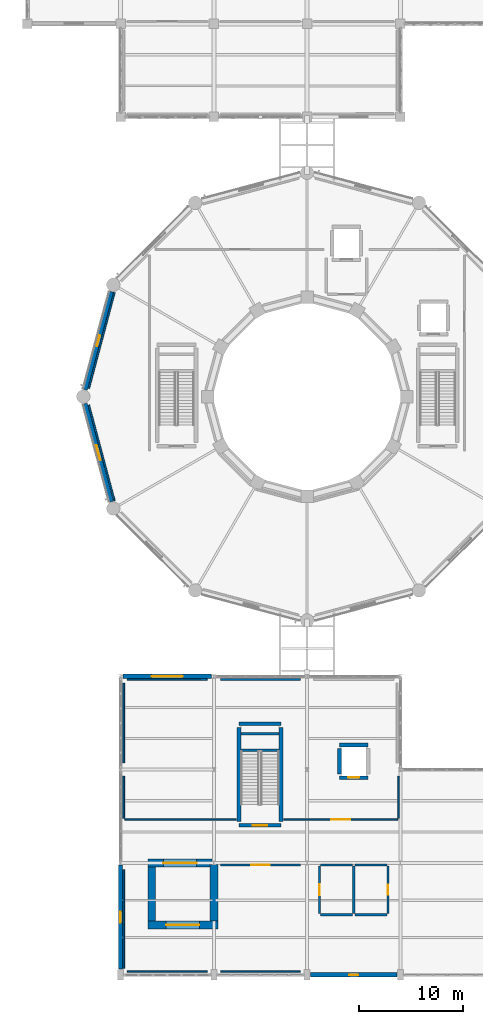
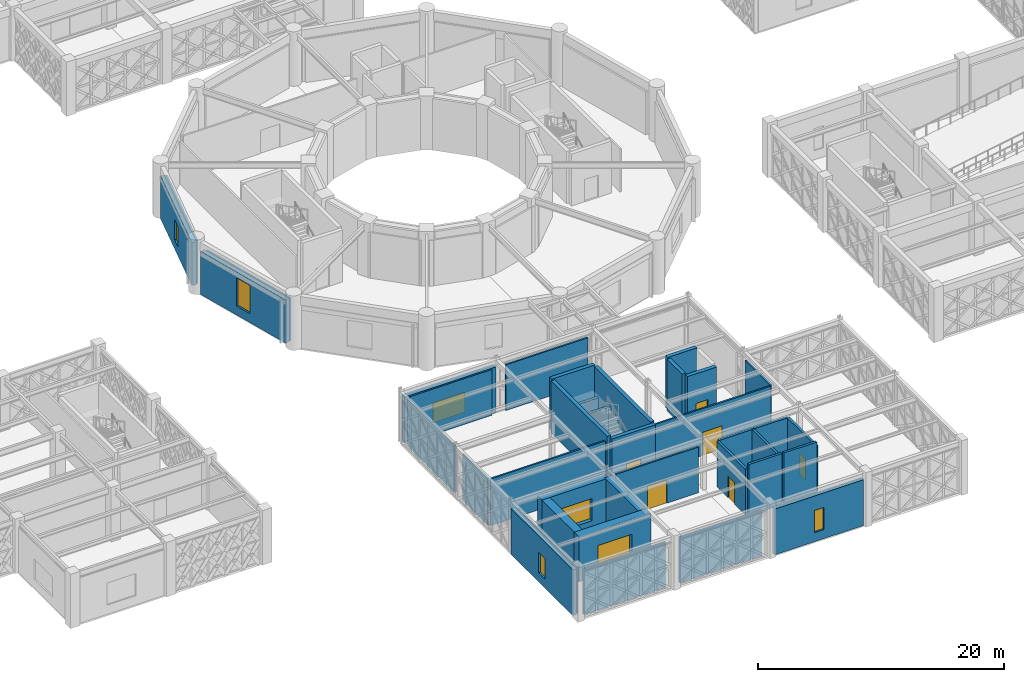
# One storey, part 140 of 166: 38 walls, 7 windows, 6 doors, 13 openings.
"""IFC4 building model written with IfcOpenShell, lengths in metres."""

from ifc_helpers import new_model, si_unit, direction, frame, frame_2d, origin, place, context, subcontext, project, spatial, rectangle, extrude, material, layer, layer_set, type_object, element, fill, save


model = new_model("IFC4")

# Units and contexts
model_context = context("Model", 3, precision=1e-05, world=origin(), true_north=direction((0.0, 1.0)))
body_context = subcontext(model_context, "Body", "Model", "MODEL_VIEW")
ifc_project = project(units=[si_unit("LENGTHUNIT", "METRE"), si_unit("AREAUNIT", "SQUARE_METRE"), si_unit("VOLUMEUNIT", "CUBIC_METRE"), si_unit("PLANEANGLEUNIT", "RADIAN"), si_unit("MASSUNIT", "GRAM", prefix="KILO")], contexts=[model_context])

# Site, building, storey
site_placement = place(None, origin())
site = spatial("IfcSite", under=ifc_project, at=site_placement, CompositionType="ELEMENT")
building_placement = place(site_placement, origin())
building = spatial("IfcBuilding", under=site, at=building_placement, Name="Haizhuo Lancet Aquarium", CompositionType="ELEMENT")
storey_placement = place(building_placement, frame((0.0, 0.0, 5.39990234375)))
storey = spatial("IfcBuildingStorey", under=building, at=storey_placement, Name="L01", CompositionType="ELEMENT", Elevation=5.39990234375)

# Wall, opening, window
ifc_material_1 = material(Name="Shandong Grey Limestone Ashlar", Category="masonry")
ifc_layer_1 = layer(ifc_material_1, 0.360107421875)
ifc_layer_set_1 = layer_set([ifc_layer_1], Name="Shandong Grey Limestone Ashlar")
wall_type_1 = type_object("IfcWallType", Name="EWL-ASH-360", PredefinedType="SOLIDWALL", material=ifc_layer_set_1)
wall_1_placement = place(storey_placement, frame((-18.0, -55.2548828125, 0.0), z_axis=(0.0, 0.0, 1.0), x_axis=(0.0, 1.0, 0.0)))
wall_1 = element("IfcWall", 1, at=wall_1_placement, inside=storey, type_object=wall_type_1, Name="L01 V4 limestone facade wall 83", PredefinedType="SOLIDWALL", context=body_context, shape_type="SweptSolid", body=[
    extrude(rectangle(XDim=10.034912109375, YDim=0.360107421875, at=frame_2d((5.017578125, 0.0))), origin(), (0.0, 0.0, 1.0), 4.537109375),
])
opening_1_placement = place(wall_1_placement, frame((4.492919921875, 0.0, 0.89990234375)))
opening_1 = element("IfcOpeningElement", 2, at=opening_1_placement, cuts=wall_1, Name="Opening WN-12", PredefinedType="OPENING", context=body_context, shape_type="SweptSolid", body=[
    extrude(rectangle(XDim=1.050048828125, YDim=2.0, at=frame_2d((0.52490234375, 1.0))), frame((0.0, 0.18994140625, 0.0), z_axis=(0.0, -1.0, 0.0), x_axis=(1.0, 0.0, 0.0)), (0.0, 0.0, 1.0), 0.380107),
])
ifc_material_2 = material(Name="Laminated Low-E Glass", Category="glass")
window_type_1 = type_object("IfcWindowType", Name="WIN-LAN-1050x2000", PartitioningType="SINGLE_PANEL", PredefinedType="WINDOW", material=ifc_material_2)
window_1_placement = place(opening_1_placement, origin())
window_1 = element("IfcWindow", 3, at=window_1_placement, inside=storey, type_object=window_type_1, Name="L01 V4 lancet window 64", OverallHeight=2.0, OverallWidth=1.050048828125, PartitioningType="SINGLE_PANEL", PredefinedType="WINDOW", context=body_context, shape_type="SweptSolid", body=[
    extrude(rectangle(XDim=1.050048828125, YDim=2.0, at=frame_2d((0.52490234375, 1.0))), frame((0.0, 0.030029296875, 0.0), z_axis=(0.0, -1.0, 0.0), x_axis=(1.0, 0.0, 0.0)), (0.0, 0.0, 1.0), 0.06005859375),
])
fill(opening_1, window_1)

ifc_layer_2 = layer(ifc_material_1, 0.39990234375)
ifc_layer_set_2 = layer_set([ifc_layer_2], Name="Shandong Grey Limestone Ashlar")
wall_type_2 = type_object("IfcWallType", Name="EWL-ASH-400", PredefinedType="SOLIDWALL", material=ifc_layer_set_2)
wall_2_placement = place(storey_placement, frame((-21.419921875, 0.6708984375, 0.0), z_axis=(0.0, 0.0, 1.0), x_axis=(0.258787599316, 0.965934251614, 0.0)))
wall_2 = element("IfcWall", 4, at=wall_2_placement, inside=storey, type_object=wall_type_2, Name="L01 V1 limestone drum wall bay 6", PredefinedType="SOLIDWALL", context=body_context, shape_type="SweptSolid", body=[
    extrude(rectangle(XDim=9.79150390625, YDim=0.39990234375, at=frame_2d((4.895751953125, 0.0))), origin(), (0.0, 0.0, 1.0), 4.275146484375),
])
opening_2_placement = place(wall_2_placement, frame((4.37109375, 0.0, 0.89990234375)))
opening_2 = element("IfcOpeningElement", 5, at=opening_2_placement, cuts=wall_2, Name="Opening WN-12", PredefinedType="OPENING", context=body_context, shape_type="SweptSolid", body=[
    extrude(rectangle(XDim=1.050048828125, YDim=2.0, at=frame_2d((0.52490234375, 1.0))), frame((0.0, 0.2099609375, 0.0), z_axis=(0.0, -1.0, 0.0), x_axis=(1.0, 0.0, 0.0)), (0.0, 0.0, 1.0), 0.419902),
])
window_2_placement = place(opening_2_placement, origin())
window_2 = element("IfcWindow", 6, at=window_2_placement, inside=storey, type_object=window_type_1, Name="L01 Gothic lancet window 14", OverallHeight=2.0, OverallWidth=1.050048828125, PartitioningType="SINGLE_PANEL", PredefinedType="WINDOW", context=body_context, shape_type="SweptSolid", body=[
    extrude(rectangle(XDim=1.050048828125, YDim=2.0, at=frame_2d((0.52490234375, 1.0))), frame((0.0, 0.030029296875, 0.0), z_axis=(0.0, -1.0, 0.0), x_axis=(1.0, 0.0, 0.0)), (0.0, 0.0, 1.0), 0.06005859375),
])
fill(opening_2, window_2)

wall_3_placement = place(storey_placement, frame((-18.885986328125, -10.12890625, 0.0), z_axis=(0.0, 0.0, 1.0), x_axis=(-0.258787599316, 0.965934251614, 0.0)))
wall_3 = element("IfcWall", 7, at=wall_3_placement, inside=storey, type_object=wall_type_2, Name="L01 V1 limestone drum wall bay 7", PredefinedType="SOLIDWALL", context=body_context, shape_type="SweptSolid", body=[
    extrude(rectangle(XDim=9.79150390625, YDim=0.39990234375, at=frame_2d((4.895751953125, 0.0))), origin(), (0.0, 0.0, 1.0), 4.275146484375),
])
opening_3_placement = place(wall_3_placement, frame((4.14599609375, 0.0, 0.89990234375)))
opening_3 = element("IfcOpeningElement", 8, at=opening_3_placement, cuts=wall_3, Name="Opening WN-03", PredefinedType="OPENING", context=body_context, shape_type="SweptSolid", body=[
    extrude(rectangle(XDim=1.5, YDim=2.800048828125, at=frame_2d((0.75, 1.39990234375))), frame((0.0, 0.2099609375, 0.0), z_axis=(0.0, -1.0, 0.0), x_axis=(1.0, 0.0, 0.0)), (0.0, 0.0, 1.0), 0.419902),
])
window_type_2 = type_object("IfcWindowType", Name="WIN-LAN-1500x2800", PartitioningType="SINGLE_PANEL", PredefinedType="WINDOW", material=ifc_material_2)
window_3_placement = place(opening_3_placement, origin())
window_3 = element("IfcWindow", 9, at=window_3_placement, inside=storey, type_object=window_type_2, Name="L01 Gothic lancet window 15", OverallHeight=2.800048828125, OverallWidth=1.5, PartitioningType="SINGLE_PANEL", PredefinedType="WINDOW", context=body_context, shape_type="SweptSolid", body=[
    extrude(rectangle(XDim=1.5, YDim=2.800048828125, at=frame_2d((0.75, 1.39990234375))), frame((0.0, 0.030029296875, 0.0), z_axis=(0.0, -1.0, 0.0), x_axis=(1.0, 0.0, 0.0)), (0.0, 0.0, 1.0), 0.06005859375),
])
fill(opening_3, window_3)

wall_4_placement = place(storey_placement, frame((8.655029296875, -55.800048828125, 0.0), z_axis=(0.0, 0.0, 1.0), x_axis=(-1.0, 0.0, 0.0)))
wall_4 = element("IfcWall", 10, at=wall_4_placement, inside=storey, type_object=wall_type_2, Name="L01 V4 limestone facade wall 82", PredefinedType="SOLIDWALL", context=body_context, shape_type="SweptSolid", body=[
    extrude(rectangle(XDim=8.31005859375, YDim=0.39990234375, at=frame_2d((4.155029296875, 0.0))), origin(), (0.0, 0.0, 1.0), 4.537109375),
])
opening_4_placement = place(wall_4_placement, frame((3.705078125, 0.0, 0.89990234375)))
opening_4 = element("IfcOpeningElement", 11, at=opening_4_placement, cuts=wall_4, Name="Opening WN-11", PredefinedType="OPENING", context=body_context, shape_type="SweptSolid", body=[
    extrude(rectangle(XDim=0.89990234375, YDim=2.199951171875, at=frame_2d((0.449951171875, 1.10009765625))), frame((0.0, 0.2099609375, 0.0), z_axis=(0.0, -1.0, 0.0), x_axis=(1.0, 0.0, 0.0)), (0.0, 0.0, 1.0), 0.419902),
])
window_type_3 = type_object("IfcWindowType", Name="WIN-LAN-900x2200", PartitioningType="SINGLE_PANEL", PredefinedType="WINDOW", material=ifc_material_2)
window_4_placement = place(opening_4_placement, origin())
window_4 = element("IfcWindow", 12, at=window_4_placement, inside=storey, type_object=window_type_3, Name="L01 V4 lancet window 63", OverallHeight=2.199951171875, OverallWidth=0.89990234375, PartitioningType="SINGLE_PANEL", PredefinedType="WINDOW", context=body_context, shape_type="SweptSolid", body=[
    extrude(rectangle(XDim=0.89990234375, YDim=2.199951171875, at=frame_2d((0.449951171875, 1.10009765625))), frame((0.0, 0.030029296875, 0.0), z_axis=(0.0, -1.0, 0.0), x_axis=(1.0, 0.0, 0.0)), (0.0, 0.0, 1.0), 0.06005859375),
])
fill(opening_4, window_4)

ifc_layer_3 = layer(ifc_material_1, 0.449951171875)
ifc_layer_set_3 = layer_set([ifc_layer_3], Name="Shandong Grey Limestone Ashlar")
wall_type_3 = type_object("IfcWallType", Name="EWL-ASH-450", PredefinedType="SOLIDWALL", material=ifc_layer_set_3)
wall_5_placement = place(storey_placement, frame((-17.780029296875, -27.0, 0.0), z_axis=(0.0, 0.0, 1.0), x_axis=(1.0, 0.0, 0.0)))
wall_5 = element("IfcWall", 13, at=wall_5_placement, inside=storey, type_object=wall_type_3, Name="L01 V4 limestone facade wall 81", PredefinedType="SOLIDWALL", context=body_context, shape_type="SweptSolid", body=[
    extrude(rectangle(XDim=8.56005859375, YDim=0.449951171875, at=frame_2d((4.280029296875, 0.0))), origin(), (0.0, 0.0, 1.0), 4.537109375),
])
opening_5_placement = place(wall_5_placement, frame((2.780029296875, 0.0, 0.89990234375)))
opening_5 = element("IfcOpeningElement", 14, at=opening_5_placement, cuts=wall_5, Name="Opening WN-10", PredefinedType="OPENING", context=body_context, shape_type="SweptSolid", body=[
    extrude(rectangle(XDim=3.0, YDim=2.0, at=frame_2d((1.5, 1.0))), frame((0.0, 0.23486328125, 0.0), z_axis=(0.0, -1.0, 0.0), x_axis=(1.0, 0.0, 0.0)), (0.0, 0.0, 1.0), 0.469951),
])
window_type_4 = type_object("IfcWindowType", Name="WIN-LAN-3000x2000", PartitioningType="SINGLE_PANEL", PredefinedType="WINDOW", material=ifc_material_2)
window_5_placement = place(opening_5_placement, origin())
window_5 = element("IfcWindow", 15, at=window_5_placement, inside=storey, type_object=window_type_4, Name="L01 V4 lancet window 62", OverallHeight=2.0, OverallWidth=3.0, PartitioningType="SINGLE_PANEL", PredefinedType="WINDOW", context=body_context, shape_type="SweptSolid", body=[
    extrude(rectangle(XDim=3.0, YDim=2.0, at=frame_2d((1.5, 1.0))), frame((0.0, 0.030029296875, 0.0), z_axis=(0.0, -1.0, 0.0), x_axis=(1.0, 0.0, 0.0)), (0.0, 0.0, 1.0), 0.06005859375),
])
fill(opening_5, window_5)

# Wall, opening, door
ifc_material_3 = material(Name="Concrete C40/50", Category="concrete")
ifc_layer_4 = layer(ifc_material_3, 0.219970703125)
ifc_layer_set_4 = layer_set([ifc_layer_4], Name="Concrete C40/50")
wall_type_4 = type_object("IfcWallType", Name="IWL-PLB-220", PredefinedType="PLUMBINGWALL", material=ifc_layer_set_4)
wall_6_placement = place(storey_placement, frame((1.199951171875, -45.300048828125, 0.0), z_axis=(0.0, 0.0, 1.0), x_axis=(0.0, -1.0, 0.0)))
wall_6 = element("IfcWall", 16, at=wall_6_placement, inside=storey, type_object=wall_type_4, Name="L01 partition wall 205", PredefinedType="PLUMBINGWALL", context=body_context, shape_type="SweptSolid", body=[
    extrude(rectangle(XDim=4.599853515625, YDim=0.219970703125, at=frame_2d((2.2998046875, 0.0))), origin(), (0.0, 0.0, 1.0), 4.537109375),
])
opening_6_placement = place(wall_6_placement, frame((1.77490234375, 0.0, 0.0)))
opening_6 = element("IfcOpeningElement", 17, at=opening_6_placement, cuts=wall_6, Name="Opening D-08", PredefinedType="OPENING", context=body_context, shape_type="SweptSolid", body=[
    extrude(rectangle(XDim=1.050048828125, YDim=2.14990234375, at=frame_2d((0.52490234375, 1.074951171875))), frame((0.0, 0.119873046875, 0.0), z_axis=(0.0, -1.0, 0.0), x_axis=(1.0, 0.0, 0.0)), (0.0, 0.0, 1.0), 0.239971),
])
ifc_material_4 = material(Name="Aluminium 6063-T6", Category="aluminium")
door_type_1 = type_object("IfcDoorType", Name="IDR-AWC-1050x2150", OperationType="NOTDEFINED", PredefinedType="DOOR", material=ifc_material_4)
door_1_placement = place(opening_6_placement, origin())
door_1 = element("IfcDoor", 18, at=door_1_placement, inside=storey, type_object=door_type_1, Name="L01 First Floor Accessible WC door", OperationType="SINGLE_SWING_RIGHT", OverallHeight=2.14990234375, OverallWidth=1.050048828125, PredefinedType="DOOR", context=body_context, shape_type="SweptSolid", body=[
    extrude(rectangle(XDim=1.050048828125, YDim=2.14990234375, at=frame_2d((0.52490234375, 1.074951171875))), frame((0.0, 0.02490234375, 0.0), z_axis=(0.0, -1.0, 0.0), x_axis=(1.0, 0.0, 0.0)), (0.0, 0.0, 1.0), 0.050048828125),
])
fill(opening_6, door_1)

# Walls
wall_7_placement = place(storey_placement, frame((1.300048828125, -50.0, 0.0), z_axis=(0.0, 0.0, 1.0), x_axis=(1.0, 0.0, 0.0)))
element("IfcWall", 19, at=wall_7_placement, inside=storey, type_object=wall_type_4, Name="L01 partition wall 206", PredefinedType="PLUMBINGWALL", context=body_context, shape_type="SweptSolid", body=[
    extrude(rectangle(XDim=3.099853515625, YDim=0.219970703125, at=frame_2d((1.5498046875, 0.0))), origin(), (0.0, 0.0, 1.0), 5.050048828125),
])
wall_8_placement = place(storey_placement, frame((4.5, -49.89990234375, 0.0), z_axis=(0.0, 0.0, 1.0), x_axis=(0.0, 1.0, 0.0)))
element("IfcWall", 20, at=wall_8_placement, inside=storey, type_object=wall_type_4, Name="L01 partition wall 207", PredefinedType="PLUMBINGWALL", context=body_context, shape_type="SweptSolid", body=[
    extrude(rectangle(XDim=4.599853515625, YDim=0.219970703125, at=frame_2d((2.2998046875, 0.0))), origin(), (0.0, 0.0, 1.0), 4.537109375),
])
wall_9_placement = place(storey_placement, frame((4.39990234375, -45.199951171875, 0.0), z_axis=(0.0, 0.0, 1.0), x_axis=(-1.0, 0.0, 0.0)))
element("IfcWall", 21, at=wall_9_placement, inside=storey, type_object=wall_type_4, Name="L01 partition wall 208", PredefinedType="PLUMBINGWALL", context=body_context, shape_type="SweptSolid", body=[
    extrude(rectangle(XDim=3.099853515625, YDim=0.219970703125, at=frame_2d((1.5498046875, 0.0))), origin(), (0.0, 0.0, 1.0), 4.537109375),
])
wall_10_placement = place(storey_placement, frame((4.60009765625, -50.0, 0.0), z_axis=(0.0, 0.0, 1.0), x_axis=(1.0, 0.0, 0.0)))
element("IfcWall", 22, at=wall_10_placement, inside=storey, type_object=wall_type_4, Name="L01 partition wall 209", PredefinedType="PLUMBINGWALL", context=body_context, shape_type="SweptSolid", body=[
    extrude(rectangle(XDim=3.099853515625, YDim=0.219970703125, at=frame_2d((1.5498046875, 0.0))), origin(), (0.0, 0.0, 1.0), 5.050048828125),
])

# Wall, opening, door
wall_11_placement = place(storey_placement, frame((7.800048828125, -49.89990234375, 0.0), z_axis=(0.0, 0.0, 1.0), x_axis=(0.0, 1.0, 0.0)))
wall_11 = element("IfcWall", 23, at=wall_11_placement, inside=storey, type_object=wall_type_4, Name="L01 partition wall 210", PredefinedType="PLUMBINGWALL", context=body_context, shape_type="SweptSolid", body=[
    extrude(rectangle(XDim=4.599853515625, YDim=0.219970703125, at=frame_2d((2.2998046875, 0.0))), origin(), (0.0, 0.0, 1.0), 4.537109375),
])
opening_7_placement = place(wall_11_placement, frame((1.824951171875, 0.0, 0.0)))
opening_7 = element("IfcOpeningElement", 24, at=opening_7_placement, cuts=wall_11, Name="Opening D-07", PredefinedType="OPENING", context=body_context, shape_type="SweptSolid", body=[
    extrude(rectangle(XDim=0.949951171875, YDim=2.14990234375, at=frame_2d((0.47509765625, 1.074951171875))), frame((0.0, 0.119873046875, 0.0), z_axis=(0.0, -1.0, 0.0), x_axis=(1.0, 0.0, 0.0)), (0.0, 0.0, 1.0), 0.239971),
])
door_type_2 = type_object("IfcDoorType", Name="IDR-WC-950x2150", OperationType="NOTDEFINED", PredefinedType="DOOR", material=ifc_material_4)
door_2_placement = place(opening_7_placement, origin())
door_2 = element("IfcDoor", 25, at=door_2_placement, inside=storey, type_object=door_type_2, Name="L01 First Floor Public WC door", OperationType="SINGLE_SWING_LEFT", OverallHeight=2.14990234375, OverallWidth=0.949951171875, PredefinedType="DOOR", context=body_context, shape_type="SweptSolid", body=[
    extrude(rectangle(XDim=0.949951171875, YDim=2.14990234375, at=frame_2d((0.47509765625, 1.074951171875))), frame((0.0, 0.02490234375, 0.0), z_axis=(0.0, -1.0, 0.0), x_axis=(1.0, 0.0, 0.0)), (0.0, 0.0, 1.0), 0.050048828125),
])
fill(opening_7, door_2)

# Walls
wall_12_placement = place(storey_placement, frame((7.699951171875, -45.199951171875, 0.0), z_axis=(0.0, 0.0, 1.0), x_axis=(-1.0, 0.0, 0.0)))
element("IfcWall", 26, at=wall_12_placement, inside=storey, type_object=wall_type_4, Name="L01 partition wall 211", PredefinedType="PLUMBINGWALL", context=body_context, shape_type="SweptSolid", body=[
    extrude(rectangle(XDim=3.099853515625, YDim=0.219970703125, at=frame_2d((1.5498046875, 0.0))), origin(), (0.0, 0.0, 1.0), 4.537109375),
])
ifc_material_5 = material(Name="Gypsum Fireboard Partition")
ifc_layer_5 = layer(ifc_material_5, 0.14990234375)
ifc_layer_set_5 = layer_set([ifc_layer_5], Name="Gypsum Fireboard Partition")
wall_type_5 = type_object("IfcWallType", Name="IWL-STD-150", PredefinedType="PARTITIONING", material=ifc_layer_set_5)
wall_13_placement = place(storey_placement, frame((-21.072998046875, -0.805908203125, 0.0), z_axis=(0.0, 0.0, 1.0), x_axis=(0.259280198702, -0.965802142554, 0.0)))
element("IfcWall", 27, at=wall_13_placement, inside=storey, type_object=wall_type_5, Name="L01 partition wall 212", PredefinedType="PARTITIONING", context=body_context, shape_type="SweptSolid", body=[
    extrude(rectangle(XDim=9.56103515625, YDim=0.14990234375, at=frame_2d((4.780517578125, 0.0))), origin(), (0.0, 0.0, 1.0), 4.275146484375),
])
wall_14_placement = place(storey_placement, frame((-18.597900390625, 10.0400390625, 0.0), z_axis=(0.0, 0.0, 1.0), x_axis=(-0.258923095589, -0.965897940038, 0.0)))
element("IfcWall", 28, at=wall_14_placement, inside=storey, type_object=wall_type_5, Name="L01 partition wall 227", PredefinedType="PARTITIONING", context=body_context, shape_type="SweptSolid", body=[
    extrude(rectangle(XDim=9.570556640625, YDim=0.14990234375, at=frame_2d((4.78515625, 0.0))), origin(), (0.0, 0.0, 1.0), 4.275146484375),
])
for number, where, z_axis, x_axis, name in (
    (29, (-17.35009765625, -55.5, 0.0), (0.0, 0.0, 1.0), (1.0, 0.0, 0.0), "L01 partition wall 270"),
    (30, (-8.35009765625, -55.5, 0.0), (0.0, 0.0, 1.0), (1.0, 0.0, 0.0), "L01 partition wall 271"),
):
    element("IfcWall", number, at=place(storey_placement, frame(where, z_axis=z_axis, x_axis=x_axis)), inside=storey, type_object=wall_type_5, Name=name, PredefinedType="PARTITIONING", context=body_context, shape_type="SweptSolid", body=[
        extrude(rectangle(XDim=7.7001953125, YDim=0.14990234375, at=frame_2d((3.85009765625, 0.0))), origin(), (0.0, 0.0, 1.0), 4.537109375),
    ])

# Wall, opening, door
wall_15_placement = place(storey_placement, frame((-0.64990234375, -45.199951171875, 0.0), z_axis=(0.0, 0.0, 1.0), x_axis=(-1.0, 0.0, 0.0)))
wall_15 = element("IfcWall", 31, at=wall_15_placement, inside=storey, type_object=wall_type_5, Name="L01 partition wall 272", PredefinedType="PARTITIONING", context=body_context, shape_type="SweptSolid", body=[
    extrude(rectangle(XDim=7.7001953125, YDim=0.14990234375, at=frame_2d((3.85009765625, 0.0))), origin(), (0.0, 0.0, 1.0), 4.537109375),
])
opening_8_placement = place(wall_15_placement, frame((2.949951171875, 0.0, 0.0)))
opening_8 = element("IfcOpeningElement", 32, at=opening_8_placement, cuts=wall_15, Name="Opening D-02", PredefinedType="OPENING", context=body_context, shape_type="SweptSolid", body=[
    extrude(rectangle(XDim=1.800048828125, YDim=2.300048828125, at=frame_2d((0.89990234375, 1.14990234375))), frame((0.0, 0.0849609375, 0.0), z_axis=(0.0, -1.0, 0.0), x_axis=(1.0, 0.0, 0.0)), (0.0, 0.0, 1.0), 0.169902),
])
door_type_3 = type_object("IfcDoorType", Name="IDR-GAL-1800x2300", OperationType="NOTDEFINED", PredefinedType="DOOR", material=ifc_material_4)
door_3_placement = place(opening_8_placement, origin())
door_3 = element("IfcDoor", 33, at=door_3_placement, inside=storey, type_object=door_type_3, Name="L01 Estuarine Tank Viewing Gallery door", OperationType="DOUBLE_DOOR_SINGLE_SWING", OverallHeight=2.300048828125, OverallWidth=1.800048828125, PredefinedType="DOOR", context=body_context, shape_type="SweptSolid", body=[
    extrude(rectangle(XDim=1.800048828125, YDim=2.300048828125, at=frame_2d((0.89990234375, 1.14990234375))), frame((0.0, 0.02490234375, 0.0), z_axis=(0.0, -1.0, 0.0), x_axis=(1.0, 0.0, 0.0)), (0.0, 0.0, 1.0), 0.050048828125),
])
fill(opening_8, door_3)

# Walls
wall_16_placement = place(storey_placement, frame((-17.699951171875, -45.64990234375, 0.0), z_axis=(0.0, 0.0, 1.0), x_axis=(0.0, -1.0, 0.0)))
element("IfcWall", 34, at=wall_16_placement, inside=storey, type_object=wall_type_5, Name="L01 partition wall 273", PredefinedType="PARTITIONING", context=body_context, shape_type="SweptSolid", body=[
    extrude(rectangle(XDim=9.5, YDim=0.14990234375, at=frame_2d((4.75, 0.0))), origin(), (0.0, 0.0, 1.0), 4.63720703125),
])
wall_17_placement = place(storey_placement, frame((-17.699951171875, -36.64990234375, 0.0), z_axis=(0.0, 0.0, 1.0), x_axis=(0.0, -1.0, 0.0)))
element("IfcWall", 35, at=wall_17_placement, inside=storey, type_object=wall_type_5, Name="L01 partition wall 274", PredefinedType="PARTITIONING", context=body_context, shape_type="SweptSolid", body=[
    extrude(rectangle(XDim=4.050048828125, YDim=0.14990234375, at=frame_2d((2.02490234375, 0.0))), origin(), (0.0, 0.0, 1.0), 4.63720703125),
])
wall_18_placement = place(storey_placement, frame((-17.60009765625, -40.800048828125, 0.0), z_axis=(0.0, 0.0, 1.0), x_axis=(0.999999925871, 0.000385042213, 0.0)))
element("IfcWall", 36, at=wall_18_placement, inside=storey, type_object=wall_type_5, Name="L01 partition wall 275", PredefinedType="PARTITIONING", context=body_context, shape_type="SweptSolid", body=[
    extrude(rectangle(XDim=10.779052734375, YDim=0.14990234375, at=frame_2d((5.3896484375, 0.0))), origin(), (0.0, 0.0, 1.0), 4.63720703125),
])

# Wall, opening, door
wall_19_placement = place(storey_placement, frame((-2.25, -40.800048828125, 0.0), z_axis=(0.0, 0.0, 1.0), x_axis=(0.999999928547, 0.000378029771, 0.0)))
wall_19 = element("IfcWall", 37, at=wall_19_placement, inside=storey, type_object=wall_type_5, Name="L01 partition wall 276", PredefinedType="PARTITIONING", context=body_context, shape_type="SweptSolid", body=[
    extrude(rectangle(XDim=10.97900390625, YDim=0.14990234375, at=frame_2d((5.489501953125, 0.0))), origin(), (0.0, 0.0, 1.0), 4.63720703125),
])
opening_9_placement = place(wall_19_placement, frame((4.590087890625, 0.0, 0.0)))
opening_9 = element("IfcOpeningElement", 38, at=opening_9_placement, cuts=wall_19, Name="Opening D-02", PredefinedType="OPENING", context=body_context, shape_type="SweptSolid", body=[
    extrude(rectangle(XDim=1.800048828125, YDim=2.300048828125, at=frame_2d((0.89990234375, 1.14990234375))), frame((0.0, 0.0849609375, 0.0), z_axis=(0.0, -1.0, 0.0), x_axis=(1.0, 0.0, 0.0)), (0.0, 0.0, 1.0), 0.169902),
])
door_4_placement = place(opening_9_placement, origin())
door_4 = element("IfcDoor", 39, at=door_4_placement, inside=storey, type_object=door_type_3, Name="L01 Mangrove Delta Exhibit Gallery door", OperationType="DOUBLE_DOOR_SINGLE_SWING", OverallHeight=2.300048828125, OverallWidth=1.800048828125, PredefinedType="DOOR", context=body_context, shape_type="SweptSolid", body=[
    extrude(rectangle(XDim=1.800048828125, YDim=2.300048828125, at=frame_2d((0.89990234375, 1.14990234375))), frame((0.0, 0.02490234375, 0.0), z_axis=(0.0, -1.0, 0.0), x_axis=(1.0, 0.0, 0.0)), (0.0, 0.0, 1.0), 0.050048828125),
])
fill(opening_9, door_4)

# Walls
wall_20_placement = place(storey_placement, frame((8.800048828125, -40.699951171875, 0.0), z_axis=(0.0, 0.0, 1.0), x_axis=(0.0, 1.0, 0.0)))
element("IfcWall", 40, at=wall_20_placement, inside=storey, type_object=wall_type_5, Name="L01 partition wall 277", PredefinedType="PARTITIONING", context=body_context, shape_type="SweptSolid", body=[
    extrude(rectangle(XDim=4.06005859375, YDim=0.14990234375, at=frame_2d((2.030029296875, 0.0))), origin(), (0.0, 0.0, 1.0), 4.63720703125),
])
wall_21_placement = place(storey_placement, frame((-0.64990234375, -27.300048828125, 0.0), z_axis=(0.0, 0.0, 1.0), x_axis=(-1.0, 0.0, 0.0)))
element("IfcWall", 41, at=wall_21_placement, inside=storey, type_object=wall_type_5, Name="L01 partition wall 280", PredefinedType="PARTITIONING", context=body_context, shape_type="SweptSolid", body=[
    extrude(rectangle(XDim=7.7001953125, YDim=0.14990234375, at=frame_2d((3.85009765625, 0.0))), origin(), (0.0, 0.0, 1.0), 4.537109375),
])
wall_22_placement = place(storey_placement, frame((-9.64990234375, -27.300048828125, 0.0), z_axis=(0.0, 0.0, 1.0), x_axis=(-0.999999871661, -0.00050663367, 0.0)))
element("IfcWall", 42, at=wall_22_placement, inside=storey, type_object=wall_type_5, Name="L01 partition wall 281", PredefinedType="PARTITIONING", context=body_context, shape_type="SweptSolid", body=[
    extrude(rectangle(XDim=7.710205078125, YDim=0.14990234375, at=frame_2d((3.85498046875, 0.0))), origin(), (0.0, 0.0, 1.0), 4.537109375),
])
wall_23_placement = place(storey_placement, frame((-17.699951171875, -27.64990234375, 0.0), z_axis=(0.0, 0.0, 1.0), x_axis=(0.0, -1.0, 0.0)))
element("IfcWall", 43, at=wall_23_placement, inside=storey, type_object=wall_type_5, Name="L01 partition wall 282", PredefinedType="PARTITIONING", context=body_context, shape_type="SweptSolid", body=[
    extrude(rectangle(XDim=7.7001953125, YDim=0.14990234375, at=frame_2d((3.85009765625, 0.0))), origin(), (0.0, 0.0, 1.0), 4.63720703125),
])
ifc_layer_6 = layer(ifc_material_3, 0.35009765625)
ifc_layer_set_6 = layer_set([ifc_layer_6], Name="Concrete C40/50")
wall_type_6 = type_object("IfcWallType", Name="WL-CORE-350", PredefinedType="SHEAR", material=ifc_layer_set_6)
for number, where, z_axis, x_axis, name in (
    (44, (-6.39990234375, -34.125, 0.0), (0.0, 0.0, 1.0), (1.0, 0.0, 0.0), "L01 ST-06 landing support wall"),
    (45, (-6.39990234375, -32.52490234375, 0.0), (0.0, 0.0, 1.0), (1.0, 0.0, 0.0), "L01 ST-06 far landing support wall"),
):
    element("IfcWall", number, at=place(storey_placement, frame(where, z_axis=z_axis, x_axis=x_axis)), inside=storey, type_object=wall_type_6, Name=name, PredefinedType="SHEAR", context=body_context, shape_type="SweptSolid", body=[
        extrude(rectangle(XDim=3.699951171875, YDim=0.25, at=frame_2d((1.85009765625, 0.0))), origin(), (0.0, 0.0, 1.0), 2.5),
    ])

# Wall, opening, door
wall_24_placement = place(storey_placement, frame((-6.574951171875, -41.375, 0.0), z_axis=(0.0, 0.0, 1.0), x_axis=(1.0, 0.0, 0.0)))
wall_24 = element("IfcWall", 46, at=wall_24_placement, inside=storey, type_object=wall_type_6, Name="L01 ST-06 core shear wall S", PredefinedType="SHEAR", context=body_context, shape_type="SweptSolid", body=[
    extrude(rectangle(XDim=4.050048828125, YDim=0.35009765625, at=frame_2d((2.02490234375, 0.0))), origin(), (0.0, 0.0, 1.0), 5.150146484375),
])
opening_10_placement = place(wall_24_placement, frame((1.324951171875, 0.0, 0.0)))
opening_10 = element("IfcOpeningElement", 47, at=opening_10_placement, cuts=wall_24, Name="Opening FD-01", PredefinedType="OPENING", context=body_context, shape_type="SweptSolid", body=[
    extrude(rectangle(XDim=1.39990234375, YDim=2.199951171875, at=frame_2d((0.699951171875, 1.10009765625))), frame((0.0, 0.18505859375, 0.0), z_axis=(0.0, -1.0, 0.0), x_axis=(1.0, 0.0, 0.0)), (0.0, 0.0, 1.0), 0.370098),
])
ifc_material_6 = material(Name="Steel S355", Category="steel")
door_type_4 = type_object("IfcDoorType", Name="IDR-STAIR-1400x2200", OperationType="NOTDEFINED", PredefinedType="DOOR", material=ifc_material_6)
door_5_placement = place(opening_10_placement, origin())
door_5 = element("IfcDoor", 48, at=door_5_placement, inside=storey, type_object=door_type_4, Name="L01 ST-06 stairwell fire door", OperationType="SINGLE_SWING_RIGHT", OverallHeight=2.199951171875, OverallWidth=1.39990234375, PredefinedType="DOOR", context=body_context, shape_type="SweptSolid", body=[
    extrude(rectangle(XDim=1.39990234375, YDim=2.199951171875, at=frame_2d((0.699951171875, 1.10009765625))), frame((0.0, 0.02490234375, 0.0), z_axis=(0.0, -1.0, 0.0), x_axis=(1.0, 0.0, 0.0)), (0.0, 0.0, 1.0), 0.050048828125),
])
fill(opening_10, door_5)

# Walls
wall_25_placement = place(storey_placement, frame((-6.574951171875, -31.574951171875, 0.0), z_axis=(0.0, 0.0, 1.0), x_axis=(1.0, 0.0, 0.0)))
element("IfcWall", 49, at=wall_25_placement, inside=storey, type_object=wall_type_6, Name="L01 ST-06 core shear wall N", PredefinedType="SHEAR", context=body_context, shape_type="SweptSolid", body=[
    extrude(rectangle(XDim=4.050048828125, YDim=0.35009765625, at=frame_2d((2.02490234375, 0.0))), origin(), (0.0, 0.0, 1.0), 5.150146484375),
])
for number, where, z_axis, x_axis, name in (
    (50, (-6.574951171875, -41.02490234375, 0.0), (0.0, 0.0, 1.0), (0.0, 1.0, 0.0), "L01 ST-06 core shear wall W"),
    (51, (-2.52490234375, -41.02490234375, 0.0), (0.0, 0.0, 1.0), (0.0, 1.0, 0.0), "L01 ST-06 core shear wall E"),
):
    element("IfcWall", number, at=place(storey_placement, frame(where, z_axis=z_axis, x_axis=x_axis)), inside=storey, type_object=wall_type_6, Name=name, PredefinedType="SHEAR", context=body_context, shape_type="SweptSolid", body=[
        extrude(rectangle(XDim=9.099853515625, YDim=0.35009765625, at=frame_2d((4.5498046875, 0.0))), origin(), (0.0, 0.0, 1.0), 5.150146484375),
    ])

# Wall, opening, door
wall_26_placement = place(storey_placement, frame((3.125, -36.77490234375, 0.0), z_axis=(0.0, 0.0, 1.0), x_axis=(1.0, 0.0, 0.0)))
wall_26 = element("IfcWall", 52, at=wall_26_placement, inside=storey, type_object=wall_type_6, Name="L01 LP-03 lift shaft wall -Y", PredefinedType="SHEAR", context=body_context, shape_type="SweptSolid", body=[
    extrude(rectangle(XDim=2.75, YDim=0.35009765625, at=frame_2d((1.375, 0.0))), origin(), (0.0, 0.0, 1.0), 5.150146484375),
])
opening_11_placement = place(wall_26_placement, frame((0.824951171875, 0.0, 0.0)))
opening_11 = element("IfcOpeningElement", 53, at=opening_11_placement, cuts=wall_26, Name="Opening LD-01", PredefinedType="OPENING", context=body_context, shape_type="SweptSolid", body=[
    extrude(rectangle(XDim=1.10009765625, YDim=2.199951171875, at=frame_2d((0.550048828125, 1.10009765625))), frame((0.0, 0.18505859375, 0.0), z_axis=(0.0, -1.0, 0.0), x_axis=(1.0, 0.0, 0.0)), (0.0, 0.0, 1.0), 0.370098),
])
door_type_5 = type_object("IfcDoorType", Name="IDR-LIFT-1100x2200", OperationType="NOTDEFINED", PredefinedType="DOOR", material=ifc_material_6)
door_6_placement = place(opening_11_placement, origin())
door_6 = element("IfcDoor", 54, at=door_6_placement, inside=storey, type_object=door_type_5, Name="L01 LP-03 sliding lift landing door", OperationType="DOUBLE_DOOR_SLIDING", OverallHeight=2.199951171875, OverallWidth=1.10009765625, PredefinedType="DOOR", context=body_context, shape_type="SweptSolid", body=[
    extrude(rectangle(XDim=1.10009765625, YDim=2.199951171875, at=frame_2d((0.550048828125, 1.10009765625))), frame((0.0, 0.02490234375, 0.0), z_axis=(0.0, -1.0, 0.0), x_axis=(1.0, 0.0, 0.0)), (0.0, 0.0, 1.0), 0.050048828125),
])
fill(opening_11, door_6)

# Walls
wall_27_placement = place(storey_placement, frame((5.875, -33.625, 0.0), z_axis=(0.0, 0.0, 1.0), x_axis=(-1.0, 0.0, 0.0)))
element("IfcWall", 55, at=wall_27_placement, inside=storey, type_object=wall_type_6, Name="L01 LP-03 lift shaft wall +Y", PredefinedType="SHEAR", context=body_context, shape_type="SweptSolid", body=[
    extrude(rectangle(XDim=2.75, YDim=0.35009765625, at=frame_2d((1.375, 0.0))), origin(), (0.0, 0.0, 1.0), 5.150146484375),
])
wall_28_placement = place(storey_placement, frame((3.125, -36.425048828125, 0.0), z_axis=(0.0, 0.0, 1.0), x_axis=(0.0, 1.0, 0.0)))
element("IfcWall", 56, at=wall_28_placement, inside=storey, type_object=wall_type_6, Name="L01 LP-03 lift shaft wall -X", PredefinedType="SHEAR", context=body_context, shape_type="SweptSolid", body=[
    extrude(rectangle(XDim=2.449951171875, YDim=0.35009765625, at=frame_2d((1.22509765625, 0.0))), origin(), (0.0, 0.0, 1.0), 5.150146484375),
])

# Wall, opening, window
ifc_material_7 = material(Name="Concrete C45/55", Category="concrete")
ifc_layer_7 = layer(ifc_material_7, 0.75)
ifc_layer_set_7 = layer_set([ifc_layer_7], Name="Concrete C45/55")
wall_type_7 = type_object("IfcWallType", Name="WL-TANK-750", PredefinedType="SHEAR", material=ifc_layer_set_7)
wall_29_placement = place(storey_placement, frame((-15.375, -51.0, 0.0), z_axis=(0.0, 0.0, 1.0), x_axis=(1.0, 0.0, 0.0)))
wall_29 = element("IfcWall", 57, at=wall_29_placement, inside=storey, type_object=wall_type_7, Name="L01 Estuarine Tank wall 1", PredefinedType="SHEAR", context=body_context, shape_type="SweptSolid", body=[
    extrude(rectangle(XDim=6.75, YDim=0.75, at=frame_2d((3.375, 0.0))), origin(), (0.0, 0.0, 1.0), 4.5),
])
opening_12_placement = place(wall_29_placement, frame((1.77490234375, 0.0, 0.800048828125)))
opening_12 = element("IfcOpeningElement", 58, at=opening_12_placement, cuts=wall_29, Name="Opening AW-07", PredefinedType="OPENING", context=body_context, shape_type="SweptSolid", body=[
    extrude(rectangle(XDim=3.199951171875, YDim=2.199951171875, at=frame_2d((1.60009765625, 1.10009765625))), frame((0.0, 0.385009765625, 0.0), z_axis=(0.0, -1.0, 0.0), x_axis=(1.0, 0.0, 0.0)), (0.0, 0.0, 1.0), 0.77),
])
ifc_material_8 = material(Name="Monolithic Cast PMMA")
window_type_5 = type_object("IfcWindowType", Name="WIN-PMMA-3200x2200", PartitioningType="SINGLE_PANEL", PredefinedType="WINDOW", material=ifc_material_8)
window_6_placement = place(opening_12_placement, origin())
window_6 = element("IfcWindow", 59, at=window_6_placement, inside=storey, type_object=window_type_5, Name="L01 Estuarine Tank PMMA viewing window 3", OverallHeight=2.199951171875, OverallWidth=3.199951171875, PartitioningType="SINGLE_PANEL", PredefinedType="WINDOW", context=body_context, shape_type="SweptSolid", body=[
    extrude(rectangle(XDim=3.199951171875, YDim=2.199951171875, at=frame_2d((1.60009765625, 1.10009765625))), frame((0.0, 0.030029296875, 0.0), z_axis=(0.0, -1.0, 0.0), x_axis=(1.0, 0.0, 0.0)), (0.0, 0.0, 1.0), 0.06005859375),
])
fill(opening_12, window_6)

# Wall
wall_30_placement = place(storey_placement, frame((-9.0, -50.625, 0.0), z_axis=(0.0, 0.0, 1.0), x_axis=(0.0, 1.0, 0.0)))
element("IfcWall", 60, at=wall_30_placement, inside=storey, type_object=wall_type_7, Name="L01 Estuarine Tank wall 2", PredefinedType="SHEAR", context=body_context, shape_type="SweptSolid", body=[
    extrude(rectangle(XDim=5.449951171875, YDim=0.75, at=frame_2d((2.72509765625, 0.0))), origin(), (0.0, 0.0, 1.0), 4.5),
])

# Wall, opening, window
wall_31_placement = place(storey_placement, frame((-9.175048828125, -45.0, 0.0), z_axis=(0.0, 0.0, 1.0), x_axis=(-1.0, 0.0, 0.0)))
wall_31 = element("IfcWall", 61, at=wall_31_placement, inside=storey, type_object=wall_type_7, Name="L01 Estuarine Tank wall 3", PredefinedType="SHEAR", context=body_context, shape_type="SweptSolid", body=[
    extrude(rectangle(XDim=6.199951171875, YDim=0.75, at=frame_2d((3.10009765625, 0.0))), origin(), (0.0, 0.0, 1.0), 4.5),
])
opening_13_placement = place(wall_31_placement, frame((1.5, 0.0, 0.800048828125)))
opening_13 = element("IfcOpeningElement", 62, at=opening_13_placement, cuts=wall_31, Name="Opening AW-07", PredefinedType="OPENING", context=body_context, shape_type="SweptSolid", body=[
    extrude(rectangle(XDim=3.199951171875, YDim=2.199951171875, at=frame_2d((1.60009765625, 1.10009765625))), frame((0.0, 0.385009765625, 0.0), z_axis=(0.0, -1.0, 0.0), x_axis=(1.0, 0.0, 0.0)), (0.0, 0.0, 1.0), 0.77),
])
window_7_placement = place(opening_13_placement, origin())
window_7 = element("IfcWindow", 63, at=window_7_placement, inside=storey, type_object=window_type_5, Name="L01 Estuarine Tank PMMA viewing window 4", OverallHeight=2.199951171875, OverallWidth=3.199951171875, PartitioningType="SINGLE_PANEL", PredefinedType="WINDOW", context=body_context, shape_type="SweptSolid", body=[
    extrude(rectangle(XDim=3.199951171875, YDim=2.199951171875, at=frame_2d((1.60009765625, 1.10009765625))), frame((0.0, 0.030029296875, 0.0), z_axis=(0.0, -1.0, 0.0), x_axis=(1.0, 0.0, 0.0)), (0.0, 0.0, 1.0), 0.06005859375),
])
fill(opening_13, window_7)

# Wall
wall_32_placement = place(storey_placement, frame((-15.0, -45.375, 0.0), z_axis=(0.0, 0.0, 1.0), x_axis=(0.0, -1.0, 0.0)))
element("IfcWall", 64, at=wall_32_placement, inside=storey, type_object=wall_type_7, Name="L01 Estuarine Tank wall 4", PredefinedType="SHEAR", context=body_context, shape_type="SweptSolid", body=[
    extrude(rectangle(XDim=5.25, YDim=0.75, at=frame_2d((2.625, 0.0))), origin(), (0.0, 0.0, 1.0), 4.5),
])

save(model, "model.ifc")
